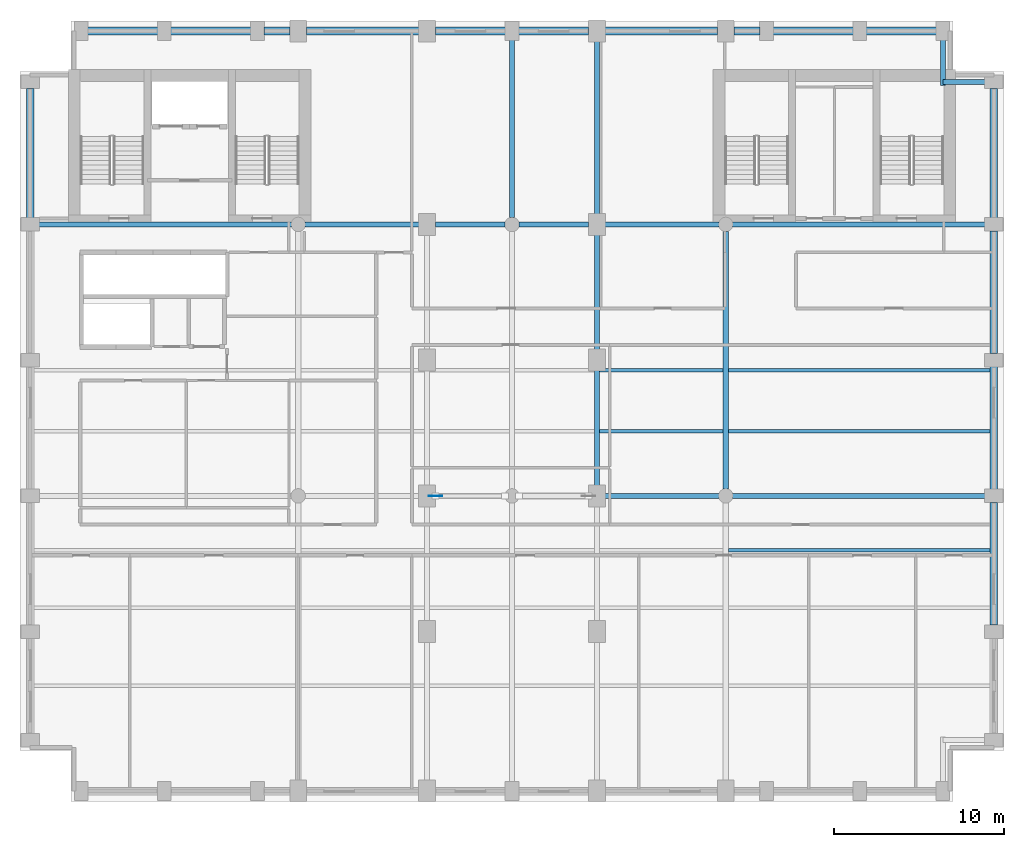
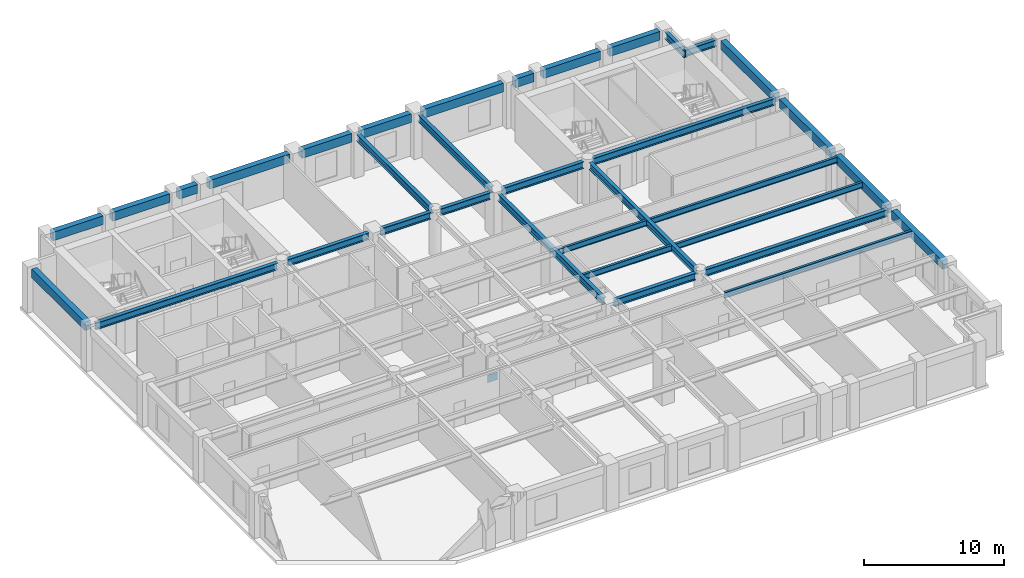
# One storey, part 2 of 10: 34 beams, 1 plate.
"""IFC4 building model written with IfcOpenShell, lengths in metres."""

from ifc_helpers import new_model, si_unit, direction, frame, origin, origin_2d, place, context, subcontext, project, spatial, rectangle, i_section, extrude, material, layer, layer_set, material_profile, profile_set, type_object, element, save


model = new_model("IFC4")

# Units and contexts
model_context = context("Model", 3, precision=1e-05, world=origin(), true_north=direction((0.0, 1.0)))
body_context = subcontext(model_context, "Body", "Model", "MODEL_VIEW")
ifc_project = project(units=[si_unit("LENGTHUNIT", "METRE"), si_unit("AREAUNIT", "SQUARE_METRE"), si_unit("VOLUMEUNIT", "CUBIC_METRE"), si_unit("PLANEANGLEUNIT", "RADIAN"), si_unit("MASSUNIT", "GRAM", prefix="KILO")], contexts=[model_context])

# Site, building, storey
site_placement = place(None, origin())
site = spatial("IfcSite", under=ifc_project, at=site_placement, CompositionType="ELEMENT")
building_placement = place(site_placement, origin())
building = spatial("IfcBuilding", under=site, at=building_placement, Name="Sulina Concourse Tower", CompositionType="ELEMENT")
storey_placement = place(building_placement, frame((0.0, 0.0, 206.60009765625)))
storey = spatial("IfcBuildingStorey", under=building, at=storey_placement, Name="L50", CompositionType="ELEMENT", Elevation=206.60009765625)

# Beams
ifc_material_1 = material(Name="Steel S355", Category="steel")
ifc_material_profile_1 = material_profile(ifc_material_1, i_section(OverallWidth=0.199951171875, OverallDepth=0.5, WebThickness=0.01025390625, FlangeThickness=0.01611328125, at=origin_2d()), Name="IPE 500")
ifc_profile_set_1 = profile_set([ifc_material_profile_1], Name="Steel S355")
beam_type_1 = type_object("IfcBeamType", Name="Composite Floor Joist IPE500", PredefinedType="JOIST", material=ifc_profile_set_1)
beam_1_placement = place(storey_placement, frame((41.75, 14.800048828125, 3.5), z_axis=(1.0, 0.0, 0.0), x_axis=(0.0, 1.0, 0.0)))
element("IfcBeam", 1, at=beam_1_placement, inside=storey, type_object=beam_type_1, Name="FJ-J15-6-L50", PredefinedType="JOIST", context=body_context, shape_type="SweptSolid", body=[
    extrude(i_section(OverallWidth=0.199951171875, OverallDepth=0.5, WebThickness=0.01025390625, FlangeThickness=0.01611328125, at=origin_2d()), origin(), (0.0, 0.0, 1.0), 15.425048828125),
])
beam_2_placement = place(storey_placement, frame((34.14990234375, 21.800048828125, 3.5), z_axis=(1.0, 0.0, 0.0), x_axis=(0.0, 1.0, 0.0)))
element("IfcBeam", 2, at=beam_2_placement, inside=storey, type_object=beam_type_1, Name="FJ-J22-5-L50", PredefinedType="JOIST", context=body_context, shape_type="SweptSolid", body=[
    extrude(i_section(OverallWidth=0.199951171875, OverallDepth=0.5, WebThickness=0.01025390625, FlangeThickness=0.01611328125, at=origin_2d()), origin(), (0.0, 0.0, 1.0), 7.300048828125),
])
beam_3_placement = place(storey_placement, frame((41.75, 21.800048828125, 3.5), z_axis=(1.0, 0.0, 0.0), x_axis=(0.0, 1.0, 0.0)))
element("IfcBeam", 3, at=beam_3_placement, inside=storey, type_object=beam_type_1, Name="FJ-J22-6-L50", PredefinedType="JOIST", context=body_context, shape_type="SweptSolid", body=[
    extrude(i_section(OverallWidth=0.199951171875, OverallDepth=0.5, WebThickness=0.01025390625, FlangeThickness=0.01611328125, at=origin_2d()), origin(), (0.0, 0.0, 1.0), 15.425048828125),
])
beam_4_placement = place(storey_placement, frame((34.14990234375, 25.39990234375, 3.5), z_axis=(1.0, 0.0, 0.0), x_axis=(0.0, 1.0, 0.0)))
element("IfcBeam", 4, at=beam_4_placement, inside=storey, type_object=beam_type_1, Name="FJ-J25-5-L50", PredefinedType="JOIST", context=body_context, shape_type="SweptSolid", body=[
    extrude(i_section(OverallWidth=0.199951171875, OverallDepth=0.5, WebThickness=0.01025390625, FlangeThickness=0.01611328125, at=origin_2d()), origin(), (0.0, 0.0, 1.0), 7.300048828125),
])
beam_5_placement = place(storey_placement, frame((41.75, 25.39990234375, 3.5), z_axis=(1.0, 0.0, 0.0), x_axis=(0.0, 1.0, 0.0)))
element("IfcBeam", 5, at=beam_5_placement, inside=storey, type_object=beam_type_1, Name="FJ-J25-6-L50", PredefinedType="JOIST", context=body_context, shape_type="SweptSolid", body=[
    extrude(i_section(OverallWidth=0.199951171875, OverallDepth=0.5, WebThickness=0.01025390625, FlangeThickness=0.01611328125, at=origin_2d()), origin(), (0.0, 0.0, 1.0), 15.425048828125),
])
ifc_material_2 = material(Name="Steel S355", Category="steel")
ifc_material_profile_2 = material_profile(ifc_material_2, i_section(OverallWidth=0.300048828125, OverallDepth=0.60009765625, WebThickness=0.015380859375, FlangeThickness=0.030029296875, at=origin_2d()), Name="HE 600 B")
ifc_profile_set_2 = profile_set([ifc_material_profile_2], Name="Steel S355")
beam_type_2 = type_object("IfcBeamType", Name="Floor Primary Girder Zone 3 HE600B", PredefinedType="BEAM", material=ifc_profile_set_2)
beam_6_placement = place(storey_placement, frame((54.39990234375, 42.39990234375, 3.449951171875), z_axis=(1.0, 0.0, 0.0), x_axis=(0.0, 1.0, 0.0)))
element("IfcBeam", 6, at=beam_6_placement, inside=storey, type_object=beam_type_2, Name="TIE-NE-L50", PredefinedType="BEAM", context=body_context, shape_type="SweptSolid", body=[
    extrude(i_section(OverallWidth=0.300048828125, OverallDepth=0.60009765625, WebThickness=0.015380859375, FlangeThickness=0.030029296875, at=origin_2d()), origin(), (0.0, 0.0, 1.0), 2.6201171875),
])
beam_7_placement = place(storey_placement, frame((54.39990234375, 42.199951171875, 3.449951171875), z_axis=(0.0, 1.0, 0.0), x_axis=(-1.0, 0.0, 0.0)))
element("IfcBeam", 7, at=beam_7_placement, inside=storey, type_object=beam_type_2, Name="TIE-NEN-L50", PredefinedType="BEAM", context=body_context, shape_type="SweptSolid", body=[
    extrude(i_section(OverallWidth=0.300048828125, OverallDepth=0.60009765625, WebThickness=0.015380859375, FlangeThickness=0.030029296875, at=origin_2d()), origin(), (0.0, 0.0, 1.0), 2.820068359375),
])
beam_8_placement = place(storey_placement, frame((34.47998046875, 18.0, 3.449951171875), z_axis=(1.0, 0.0, 0.0), x_axis=(0.0, 1.0, 0.0)))
element("IfcBeam", 8, at=beam_8_placement, inside=storey, type_object=beam_type_2, Name="FG-EW5-L50", PredefinedType="BEAM", context=body_context, shape_type="SweptSolid", body=[
    extrude(i_section(OverallWidth=0.300048828125, OverallDepth=0.60009765625, WebThickness=0.015380859375, FlangeThickness=0.030029296875, at=origin_2d()), origin(), (0.0, 0.0, 1.0), 6.715087890625),
])
for number, where, z_axis, x_axis, name in (
    (9, (42.0048828125, 18.0, 3.449951171875), (1.0, 0.0, 0.0), (0.0, 1.0, 0.0), "FG-EW6-L50"),
    (10, (0.97998046875, 34.0, 3.449951171875), (1.0, 0.0, 0.0), (0.0, 1.0, 0.0), "FG-EWN1-L50"),
):
    element("IfcBeam", number, at=place(storey_placement, frame(where, z_axis=z_axis, x_axis=x_axis)), inside=storey, type_object=beam_type_2, Name=name, PredefinedType="BEAM", context=body_context, shape_type="SweptSolid", body=[
        extrude(i_section(OverallWidth=0.300048828125, OverallDepth=0.60009765625, WebThickness=0.015380859375, FlangeThickness=0.030029296875, at=origin_2d()), origin(), (0.0, 0.0, 1.0), 15.01513671875),
    ])
beam_9_placement = place(storey_placement, frame((16.804931640625, 34.0, 3.449951171875), z_axis=(1.0, 0.0, 0.0), x_axis=(0.0, 1.0, 0.0)))
element("IfcBeam", 11, at=beam_9_placement, inside=storey, type_object=beam_type_2, Name="FG-EWN2-L50", PredefinedType="BEAM", context=body_context, shape_type="SweptSolid", body=[
    extrude(i_section(OverallWidth=0.300048828125, OverallDepth=0.60009765625, WebThickness=0.015380859375, FlangeThickness=0.030029296875, at=origin_2d()), origin(), (0.0, 0.0, 1.0), 6.715087890625),
])
for number, where, z_axis, x_axis, name in (
    (12, (24.47998046875, 34.0, 3.449951171875), (1.0, 0.0, 0.0), (0.0, 1.0, 0.0), "FG-EWN3-L50"),
    (13, (29.405029296875, 34.0, 3.449951171875), (1.0, 0.0, 0.0), (0.0, 1.0, 0.0), "FG-EWN4-L50"),
):
    element("IfcBeam", number, at=place(storey_placement, frame(where, z_axis=z_axis, x_axis=x_axis)), inside=storey, type_object=beam_type_2, Name=name, PredefinedType="BEAM", context=body_context, shape_type="SweptSolid", body=[
        extrude(i_section(OverallWidth=0.300048828125, OverallDepth=0.60009765625, WebThickness=0.015380859375, FlangeThickness=0.030029296875, at=origin_2d()), origin(), (0.0, 0.0, 1.0), 4.114990234375),
    ])
beam_10_placement = place(storey_placement, frame((34.47998046875, 34.0, 3.449951171875), z_axis=(1.0, 0.0, 0.0), x_axis=(0.0, 1.0, 0.0)))
element("IfcBeam", 14, at=beam_10_placement, inside=storey, type_object=beam_type_2, Name="FG-EWN5-L50", PredefinedType="BEAM", context=body_context, shape_type="SweptSolid", body=[
    extrude(i_section(OverallWidth=0.300048828125, OverallDepth=0.60009765625, WebThickness=0.015380859375, FlangeThickness=0.030029296875, at=origin_2d()), origin(), (0.0, 0.0, 1.0), 6.715087890625),
])
beam_11_placement = place(storey_placement, frame((42.0048828125, 34.0, 3.449951171875), z_axis=(1.0, 0.0, 0.0), x_axis=(0.0, 1.0, 0.0)))
element("IfcBeam", 15, at=beam_11_placement, inside=storey, type_object=beam_type_2, Name="FG-EWN6-L50", PredefinedType="BEAM", context=body_context, shape_type="SweptSolid", body=[
    extrude(i_section(OverallWidth=0.300048828125, OverallDepth=0.60009765625, WebThickness=0.015380859375, FlangeThickness=0.030029296875, at=origin_2d()), origin(), (0.0, 0.0, 1.0), 15.01513671875),
])
beam_12_placement = place(storey_placement, frame((29.0, 34.405029296875, 3.449951171875), z_axis=(0.0, 1.0, 0.0), x_axis=(-1.0, 0.0, 0.0)))
element("IfcBeam", 16, at=beam_12_placement, inside=storey, type_object=beam_type_2, Name="FG-NSC-29-L50", PredefinedType="BEAM", context=body_context, shape_type="SweptSolid", body=[
    extrude(i_section(OverallWidth=0.300048828125, OverallDepth=0.60009765625, WebThickness=0.015380859375, FlangeThickness=0.030029296875, at=origin_2d()), origin(), (0.0, 0.0, 1.0), 10.614990234375),
])
beam_13_placement = place(storey_placement, frame((34.0, 18.47998046875, 3.449951171875), z_axis=(0.0, 1.0, 0.0), x_axis=(-1.0, 0.0, 0.0)))
element("IfcBeam", 17, at=beam_13_placement, inside=storey, type_object=beam_type_2, Name="FG-NSB-34-L50", PredefinedType="BEAM", context=body_context, shape_type="SweptSolid", body=[
    extrude(i_section(OverallWidth=0.300048828125, OverallDepth=0.60009765625, WebThickness=0.015380859375, FlangeThickness=0.030029296875, at=origin_2d()), origin(), (0.0, 0.0, 1.0), 15.0400390625),
])
beam_14_placement = place(storey_placement, frame((34.0, 34.47998046875, 3.449951171875), z_axis=(0.0, 1.0, 0.0), x_axis=(-1.0, 0.0, 0.0)))
element("IfcBeam", 18, at=beam_14_placement, inside=storey, type_object=beam_type_2, Name="FG-NSC-34-L50", PredefinedType="BEAM", context=body_context, shape_type="SweptSolid", body=[
    extrude(i_section(OverallWidth=0.300048828125, OverallDepth=0.60009765625, WebThickness=0.015380859375, FlangeThickness=0.030029296875, at=origin_2d()), origin(), (0.0, 0.0, 1.0), 10.43994140625),
])
beam_15_placement = place(storey_placement, frame((41.60009765625, 18.405029296875, 3.449951171875), z_axis=(0.0, 1.0, 0.0), x_axis=(-1.0, 0.0, 0.0)))
element("IfcBeam", 19, at=beam_15_placement, inside=storey, type_object=beam_type_2, Name="FG-NSB-41-L50", PredefinedType="BEAM", context=body_context, shape_type="SweptSolid", body=[
    extrude(i_section(OverallWidth=0.300048828125, OverallDepth=0.60009765625, WebThickness=0.015380859375, FlangeThickness=0.030029296875, at=origin_2d()), origin(), (0.0, 0.0, 1.0), 15.18994140625),
])
ifc_material_3 = material(Name="Precast concrete C50/60", Category="concrete")
ifc_material_profile_3 = material_profile(ifc_material_3, rectangle(XDim=0.449951171875, YDim=0.75, at=origin_2d()), Name="RC 450x750")
ifc_profile_set_3 = profile_set([ifc_material_profile_3], Name="Precast concrete C50/60")
beam_type_3 = type_object("IfcBeamType", Name="Upper Precast Spandrel Edge Beam 450x750", PredefinedType="BEAM", material=ifc_profile_set_3)
beam_16_placement = place(storey_placement, frame((3.97998046875, 45.39990234375, 3.375), z_axis=(1.0, 0.0, 0.0), x_axis=(0.0, 1.0, 0.0)))
element("IfcBeam", 20, at=beam_16_placement, inside=storey, type_object=beam_type_3, Name="SP-N1-L50", PredefinedType="BEAM", context=body_context, shape_type="SweptSolid", body=[
    extrude(rectangle(XDim=0.449951171875, YDim=0.75, at=origin_2d()), origin(), (0.0, 0.0, 1.0), 4.14013671875),
])
beam_17_placement = place(storey_placement, frame((8.8798828125, 45.39990234375, 3.375), z_axis=(1.0, 0.0, 0.0), x_axis=(0.0, 1.0, 0.0)))
element("IfcBeam", 21, at=beam_17_placement, inside=storey, type_object=beam_type_3, Name="SP-N2-L50", PredefinedType="BEAM", context=body_context, shape_type="SweptSolid", body=[
    extrude(rectangle(XDim=0.449951171875, YDim=0.75, at=origin_2d()), origin(), (0.0, 0.0, 1.0), 4.740234375),
])
beam_18_placement = place(storey_placement, frame((14.3798828125, 45.39990234375, 3.375), z_axis=(1.0, 0.0, 0.0), x_axis=(0.0, 1.0, 0.0)))
element("IfcBeam", 22, at=beam_18_placement, inside=storey, type_object=beam_type_3, Name="SP-N3-L50", PredefinedType="BEAM", context=body_context, shape_type="SweptSolid", body=[
    extrude(rectangle(XDim=0.449951171875, YDim=0.75, at=origin_2d()), origin(), (0.0, 0.0, 1.0), 1.5400390625),
])
beam_19_placement = place(storey_placement, frame((16.8798828125, 45.39990234375, 3.375), z_axis=(1.0, 0.0, 0.0), x_axis=(0.0, 1.0, 0.0)))
element("IfcBeam", 23, at=beam_19_placement, inside=storey, type_object=beam_type_3, Name="SP-N4-L50", PredefinedType="BEAM", context=body_context, shape_type="SweptSolid", body=[
    extrude(rectangle(XDim=0.449951171875, YDim=0.75, at=origin_2d()), origin(), (0.0, 0.0, 1.0), 6.64013671875),
])
for number, where, z_axis, x_axis, name in (
    (24, (24.47998046875, 45.39990234375, 3.375), (1.0, 0.0, 0.0), (0.0, 1.0, 0.0), "SP-N5-L50"),
    (25, (29.3798828125, 45.39990234375, 3.375), (1.0, 0.0, 0.0), (0.0, 1.0, 0.0), "SP-N6-L50"),
):
    element("IfcBeam", number, at=place(storey_placement, frame(where, z_axis=z_axis, x_axis=x_axis)), inside=storey, type_object=beam_type_3, Name=name, PredefinedType="BEAM", context=body_context, shape_type="SweptSolid", body=[
        extrude(rectangle(XDim=0.449951171875, YDim=0.75, at=origin_2d()), origin(), (0.0, 0.0, 1.0), 4.14013671875),
    ])
beam_20_placement = place(storey_placement, frame((34.47998046875, 45.39990234375, 3.375), z_axis=(1.0, 0.0, 0.0), x_axis=(0.0, 1.0, 0.0)))
element("IfcBeam", 26, at=beam_20_placement, inside=storey, type_object=beam_type_3, Name="SP-N7-L50", PredefinedType="BEAM", context=body_context, shape_type="SweptSolid", body=[
    extrude(rectangle(XDim=0.449951171875, YDim=0.75, at=origin_2d()), origin(), (0.0, 0.0, 1.0), 6.64013671875),
])
beam_21_placement = place(storey_placement, frame((42.080078125, 45.39990234375, 3.375), z_axis=(1.0, 0.0, 0.0), x_axis=(0.0, 1.0, 0.0)))
element("IfcBeam", 27, at=beam_21_placement, inside=storey, type_object=beam_type_3, Name="SP-N8-L50", PredefinedType="BEAM", context=body_context, shape_type="SweptSolid", body=[
    extrude(rectangle(XDim=0.449951171875, YDim=0.75, at=origin_2d()), origin(), (0.0, 0.0, 1.0), 1.5400390625),
])
beam_22_placement = place(storey_placement, frame((44.3798828125, 45.39990234375, 3.375), z_axis=(1.0, 0.0, 0.0), x_axis=(0.0, 1.0, 0.0)))
element("IfcBeam", 28, at=beam_22_placement, inside=storey, type_object=beam_type_3, Name="SP-N9-L50", PredefinedType="BEAM", context=body_context, shape_type="SweptSolid", body=[
    extrude(rectangle(XDim=0.449951171875, YDim=0.75, at=origin_2d()), origin(), (0.0, 0.0, 1.0), 4.740234375),
])
beam_23_placement = place(storey_placement, frame((49.8798828125, 45.39990234375, 3.375), z_axis=(1.0, 0.0, 0.0), x_axis=(0.0, 1.0, 0.0)))
element("IfcBeam", 29, at=beam_23_placement, inside=storey, type_object=beam_type_3, Name="SP-N10-L50", PredefinedType="BEAM", context=body_context, shape_type="SweptSolid", body=[
    extrude(rectangle(XDim=0.449951171875, YDim=0.75, at=origin_2d()), origin(), (0.0, 0.0, 1.0), 4.14013671875),
])
beam_24_placement = place(storey_placement, frame((0.60009765625, 34.3798828125, 3.375), z_axis=(0.0, 1.0, 0.0), x_axis=(-1.0, 0.0, 0.0)))
element("IfcBeam", 30, at=beam_24_placement, inside=storey, type_object=beam_type_3, Name="SP-W5-L50", PredefinedType="BEAM", context=body_context, shape_type="SweptSolid", body=[
    extrude(rectangle(XDim=0.449951171875, YDim=0.75, at=origin_2d()), origin(), (0.0, 0.0, 1.0), 7.64013671875),
])
for number, where, z_axis, x_axis, name in (
    (31, (57.39990234375, 10.3798828125, 3.375), (0.0, 1.0, 0.0), (-1.0, 0.0, 0.0), "SP-E2-L50"),
    (32, (57.39990234375, 18.3798828125, 3.375), (0.0, 1.0, 0.0), (-1.0, 0.0, 0.0), "SP-E3-L50"),
    (33, (57.39990234375, 26.3798828125, 3.375), (0.0, 1.0, 0.0), (-1.0, 0.0, 0.0), "SP-E4-L50"),
):
    element("IfcBeam", number, at=place(storey_placement, frame(where, z_axis=z_axis, x_axis=x_axis)), inside=storey, type_object=beam_type_3, Name=name, PredefinedType="BEAM", context=body_context, shape_type="SweptSolid", body=[
        extrude(rectangle(XDim=0.449951171875, YDim=0.75, at=origin_2d()), origin(), (0.0, 0.0, 1.0), 7.240234375),
    ])
beam_25_placement = place(storey_placement, frame((57.39990234375, 34.3798828125, 3.375), z_axis=(0.0, 1.0, 0.0), x_axis=(-1.0, 0.0, 0.0)))
element("IfcBeam", 34, at=beam_25_placement, inside=storey, type_object=beam_type_3, Name="SP-E5-L50", PredefinedType="BEAM", context=body_context, shape_type="SweptSolid", body=[
    extrude(rectangle(XDim=0.449951171875, YDim=0.75, at=origin_2d()), origin(), (0.0, 0.0, 1.0), 7.64013671875),
])

# Plate
ifc_material_4 = material(Name="Steel S355", Category="steel")
ifc_layer = layer(ifc_material_4, 0.0400390625)
ifc_layer_set = layer_set([ifc_layer], Name="Steel S355")
plate_type = type_object("IfcPlateType", Name="Upper Bridge Node Gusset Plate 40mm", PredefinedType="USERDEFINED", material=ifc_layer_set)
plate_placement = place(storey_placement, frame((24.489990234375, 18.0, 0.094970703125), z_axis=(0.0, 0.0, 1.0), x_axis=(1.0, 0.0, 0.0)))
element("IfcPlate", 35, at=plate_placement, inside=storey, type_object=plate_type, Name="UBT-DG-1-L50 node gusset plate", ObjectType="GUSSET_PLATE", PredefinedType="USERDEFINED", context=body_context, shape_type="SweptSolid", body=[
    extrude(rectangle(XDim=0.800048828125, YDim=0.0400390625, at=origin_2d()), origin(), (0.0, 0.0, 1.0), 0.64990234375),
])

save(model, "model.ifc")
